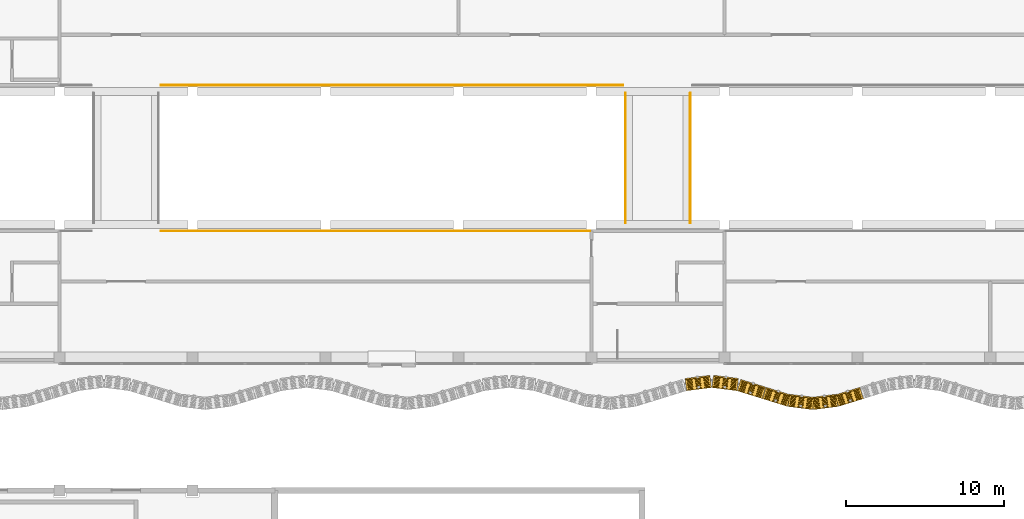
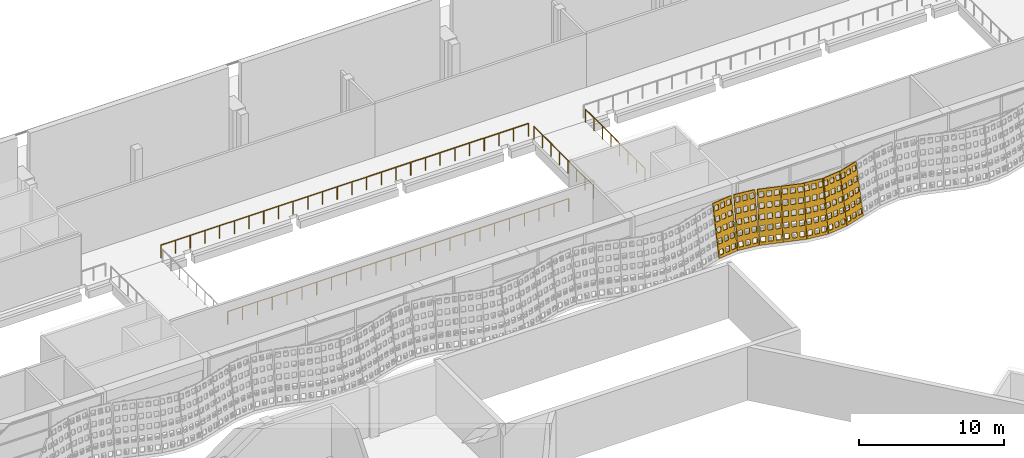
# One storey, part 150 of 162: 7 coverings, 4 railings.
"""IFC4 building model written with IfcOpenShell, lengths in metres."""

from ifc_helpers import new_model, si_unit, direction, frame, origin, origin_2d, place, context, subcontext, project, spatial, polyline, circle, outline, extrude, material, layer, layer_set, type_object, element, save


model = new_model("IFC4")

# Units and contexts
model_context = context("Model", 3, precision=1e-05, world=origin(), true_north=direction((0.0, 1.0)))
body_context = subcontext(model_context, "Body", "Model", "MODEL_VIEW")
ifc_project = project(units=[si_unit("LENGTHUNIT", "METRE"), si_unit("AREAUNIT", "SQUARE_METRE"), si_unit("VOLUMEUNIT", "CUBIC_METRE"), si_unit("PLANEANGLEUNIT", "RADIAN"), si_unit("MASSUNIT", "GRAM", prefix="KILO")], contexts=[model_context])

# Site, building, storey
site_placement = place(None, origin())
site = spatial("IfcSite", under=ifc_project, at=site_placement, CompositionType="ELEMENT")
building_placement = place(site_placement, origin())
building = spatial("IfcBuilding", under=site, at=building_placement, Name="Rain Tree Exposition and Congress Centre", CompositionType="ELEMENT")
storey_placement = place(building_placement, frame((0.0, 0.0, 6.0)))
storey = spatial("IfcBuildingStorey", under=building, at=storey_placement, Name="L01", CompositionType="ELEMENT", Elevation=6.0)

# Railings
ifc_material_1 = material(Name="Aluminium and glass balustrade", Category="aluminium")
railing_type = type_object("IfcRailingType", Name="Concourse guard 1100", PredefinedType="GUARDRAIL", material=ifc_material_1)
railing_1_placement = place(storey_placement, frame((182.800048828125, 83.60009765625, 0.0)))
element("IfcRailing", 1, at=railing_1_placement, inside=storey, type_object=railing_type, Name="Concourse promenade guard 11", PredefinedType="GUARDRAIL", context=body_context, shape_type="SweptSolid", body=[
    extrude(circle(Radius=0.02392578125, at=origin_2d()), frame((0.0, 0.0, 1.076171875), z_axis=(1.0, 0.0, 0.0), x_axis=(0.0, 1.0, 0.0)), (0.0, 0.0, 1.0), 27.099853515625),
    extrude(circle(Radius=0.02099609375, at=origin_2d()), origin(), (0.0, 0.0, 1.0), 1.052001953125),
    extrude(circle(Radius=0.02099609375, at=origin_2d()), frame((1.17822265625, 0.0, 0.0)), (0.0, 0.0, 1.0), 1.052001953125),
    extrude(circle(Radius=0.02099609375, at=origin_2d()), frame((2.3564453125, 0.0, 0.0)), (0.0, 0.0, 1.0), 1.052001953125),
    extrude(circle(Radius=0.02099609375, at=origin_2d()), frame((3.53466796875, 0.0, 0.0)), (0.0, 0.0, 1.0), 1.052001953125),
    extrude(circle(Radius=0.02099609375, at=origin_2d()), frame((4.713134765625, 0.0, 0.0)), (0.0, 0.0, 1.0), 1.052001953125),
    extrude(circle(Radius=0.02099609375, at=origin_2d()), frame((5.891357421875, 0.0, 0.0)), (0.0, 0.0, 1.0), 1.052001953125),
    extrude(circle(Radius=0.02099609375, at=origin_2d()), frame((7.069580078125, 0.0, 0.0)), (0.0, 0.0, 1.0), 1.052001953125),
    extrude(circle(Radius=0.02099609375, at=origin_2d()), frame((8.247802734375, 0.0, 0.0)), (0.0, 0.0, 1.0), 1.052001953125),
    extrude(circle(Radius=0.02099609375, at=origin_2d()), frame((9.426025390625, 0.0, 0.0)), (0.0, 0.0, 1.0), 1.052001953125),
    extrude(circle(Radius=0.02099609375, at=origin_2d()), frame((10.604248046875, 0.0, 0.0)), (0.0, 0.0, 1.0), 1.052001953125),
    extrude(circle(Radius=0.02099609375, at=origin_2d()), frame((11.782470703125, 0.0, 0.0)), (0.0, 0.0, 1.0), 1.052001953125),
    extrude(circle(Radius=0.02099609375, at=origin_2d()), frame((12.960693359375, 0.0, 0.0)), (0.0, 0.0, 1.0), 1.052001953125),
    extrude(circle(Radius=0.02099609375, at=origin_2d()), frame((14.13916015625, 0.0, 0.0)), (0.0, 0.0, 1.0), 1.052001953125),
    extrude(circle(Radius=0.02099609375, at=origin_2d()), frame((15.3173828125, 0.0, 0.0)), (0.0, 0.0, 1.0), 1.052001953125),
    extrude(circle(Radius=0.02099609375, at=origin_2d()), frame((16.49560546875, 0.0, 0.0)), (0.0, 0.0, 1.0), 1.052001953125),
    extrude(circle(Radius=0.02099609375, at=origin_2d()), frame((17.673828125, 0.0, 0.0)), (0.0, 0.0, 1.0), 1.052001953125),
    extrude(circle(Radius=0.02099609375, at=origin_2d()), frame((18.85205078125, 0.0, 0.0)), (0.0, 0.0, 1.0), 1.052001953125),
    extrude(circle(Radius=0.02099609375, at=origin_2d()), frame((20.0302734375, 0.0, 0.0)), (0.0, 0.0, 1.0), 1.052001953125),
    extrude(circle(Radius=0.02099609375, at=origin_2d()), frame((21.20849609375, 0.0, 0.0)), (0.0, 0.0, 1.0), 1.052001953125),
    extrude(circle(Radius=0.02099609375, at=origin_2d()), frame((22.38671875, 0.0, 0.0)), (0.0, 0.0, 1.0), 1.052001953125),
    extrude(circle(Radius=0.02099609375, at=origin_2d()), frame((23.565185546875, 0.0, 0.0)), (0.0, 0.0, 1.0), 1.052001953125),
    extrude(circle(Radius=0.02099609375, at=origin_2d()), frame((24.743408203125, 0.0, 0.0)), (0.0, 0.0, 1.0), 1.052001953125),
    extrude(circle(Radius=0.02099609375, at=origin_2d()), frame((25.921630859375, 0.0, 0.0)), (0.0, 0.0, 1.0), 1.052001953125),
    extrude(circle(Radius=0.02099609375, at=origin_2d()), frame((27.099853515625, 0.0, 0.0)), (0.0, 0.0, 1.0), 1.052001953125),
])
railing_2_placement = place(storey_placement, frame((182.800048828125, 92.800048828125, 0.0)))
element("IfcRailing", 2, at=railing_2_placement, inside=storey, type_object=railing_type, Name="Concourse promenade guard 25", PredefinedType="GUARDRAIL", context=body_context, shape_type="SweptSolid", body=[
    extrude(circle(Radius=0.02392578125, at=origin_2d()), frame((0.0, 0.0, 1.076171875), z_axis=(1.0, 0.0, 0.0), x_axis=(0.0, 1.0, 0.0)), (0.0, 0.0, 1.0), 29.199951171875),
    extrude(circle(Radius=0.02099609375, at=origin_2d()), origin(), (0.0, 0.0, 1.0), 1.052001953125),
    extrude(circle(Radius=0.02099609375, at=origin_2d()), frame((1.16796875, 0.0, 0.0)), (0.0, 0.0, 1.0), 1.052001953125),
    extrude(circle(Radius=0.02099609375, at=origin_2d()), frame((2.3359375, 0.0, 0.0)), (0.0, 0.0, 1.0), 1.052001953125),
    extrude(circle(Radius=0.02099609375, at=origin_2d()), frame((3.50390625, 0.0, 0.0)), (0.0, 0.0, 1.0), 1.052001953125),
    extrude(circle(Radius=0.02099609375, at=origin_2d()), frame((4.671875, 0.0, 0.0)), (0.0, 0.0, 1.0), 1.052001953125),
    extrude(circle(Radius=0.02099609375, at=origin_2d()), frame((5.840087890625, 0.0, 0.0)), (0.0, 0.0, 1.0), 1.052001953125),
    extrude(circle(Radius=0.02099609375, at=origin_2d()), frame((7.008056640625, 0.0, 0.0)), (0.0, 0.0, 1.0), 1.052001953125),
    extrude(circle(Radius=0.02099609375, at=origin_2d()), frame((8.176025390625, 0.0, 0.0)), (0.0, 0.0, 1.0), 1.052001953125),
    extrude(circle(Radius=0.02099609375, at=origin_2d()), frame((9.343994140625, 0.0, 0.0)), (0.0, 0.0, 1.0), 1.052001953125),
    extrude(circle(Radius=0.02099609375, at=origin_2d()), frame((10.511962890625, 0.0, 0.0)), (0.0, 0.0, 1.0), 1.052001953125),
    extrude(circle(Radius=0.02099609375, at=origin_2d()), frame((11.679931640625, 0.0, 0.0)), (0.0, 0.0, 1.0), 1.052001953125),
    extrude(circle(Radius=0.02099609375, at=origin_2d()), frame((12.847900390625, 0.0, 0.0)), (0.0, 0.0, 1.0), 1.052001953125),
    extrude(circle(Radius=0.02099609375, at=origin_2d()), frame((14.015869140625, 0.0, 0.0)), (0.0, 0.0, 1.0), 1.052001953125),
    extrude(circle(Radius=0.02099609375, at=origin_2d()), frame((15.18408203125, 0.0, 0.0)), (0.0, 0.0, 1.0), 1.052001953125),
    extrude(circle(Radius=0.02099609375, at=origin_2d()), frame((16.35205078125, 0.0, 0.0)), (0.0, 0.0, 1.0), 1.052001953125),
    extrude(circle(Radius=0.02099609375, at=origin_2d()), frame((17.52001953125, 0.0, 0.0)), (0.0, 0.0, 1.0), 1.052001953125),
    extrude(circle(Radius=0.02099609375, at=origin_2d()), frame((18.68798828125, 0.0, 0.0)), (0.0, 0.0, 1.0), 1.052001953125),
    extrude(circle(Radius=0.02099609375, at=origin_2d()), frame((19.85595703125, 0.0, 0.0)), (0.0, 0.0, 1.0), 1.052001953125),
    extrude(circle(Radius=0.02099609375, at=origin_2d()), frame((21.02392578125, 0.0, 0.0)), (0.0, 0.0, 1.0), 1.052001953125),
    extrude(circle(Radius=0.02099609375, at=origin_2d()), frame((22.19189453125, 0.0, 0.0)), (0.0, 0.0, 1.0), 1.052001953125),
    extrude(circle(Radius=0.02099609375, at=origin_2d()), frame((23.35986328125, 0.0, 0.0)), (0.0, 0.0, 1.0), 1.052001953125),
    extrude(circle(Radius=0.02099609375, at=origin_2d()), frame((24.528076171875, 0.0, 0.0)), (0.0, 0.0, 1.0), 1.052001953125),
    extrude(circle(Radius=0.02099609375, at=origin_2d()), frame((25.696044921875, 0.0, 0.0)), (0.0, 0.0, 1.0), 1.052001953125),
    extrude(circle(Radius=0.02099609375, at=origin_2d()), frame((26.864013671875, 0.0, 0.0)), (0.0, 0.0, 1.0), 1.052001953125),
    extrude(circle(Radius=0.02099609375, at=origin_2d()), frame((28.031982421875, 0.0, 0.0)), (0.0, 0.0, 1.0), 1.052001953125),
    extrude(circle(Radius=0.02099609375, at=origin_2d()), frame((29.199951171875, 0.0, 0.0)), (0.0, 0.0, 1.0), 1.052001953125),
])
for number, where, name in (
    (3, (212.14990234375, 84.10009765625, 0.0), "Concourse bridge guard 7.1"),
    (4, (216.25, 84.10009765625, 0.0), "Concourse bridge guard 7.2"),
):
    element("IfcRailing", number, at=place(storey_placement, frame(where)), inside=storey, type_object=railing_type, Name=name, PredefinedType="GUARDRAIL", context=body_context, shape_type="SweptSolid", body=[
        extrude(circle(Radius=0.02392578125, at=origin_2d()), frame((0.0, 0.0, 1.076171875), z_axis=(0.0, 1.0, 0.0), x_axis=(-1.0, 0.0, 0.0)), (0.0, 0.0, 1.0), 8.199951171875),
        extrude(circle(Radius=0.02099609375, at=origin_2d()), origin(), (0.0, 0.0, 1.0), 1.052001953125),
        extrude(circle(Radius=0.02099609375, at=origin_2d()), frame((0.0, 1.17138671875, 0.0)), (0.0, 0.0, 1.0), 1.052001953125),
        extrude(circle(Radius=0.02099609375, at=origin_2d()), frame((0.0, 2.3427734375, 0.0)), (0.0, 0.0, 1.0), 1.052001953125),
        extrude(circle(Radius=0.02099609375, at=origin_2d()), frame((0.0, 3.51416015625, 0.0)), (0.0, 0.0, 1.0), 1.052001953125),
        extrude(circle(Radius=0.02099609375, at=origin_2d()), frame((0.0, 4.685791015625, 0.0)), (0.0, 0.0, 1.0), 1.052001953125),
        extrude(circle(Radius=0.02099609375, at=origin_2d()), frame((0.0, 5.857177734375, 0.0)), (0.0, 0.0, 1.0), 1.052001953125),
        extrude(circle(Radius=0.02099609375, at=origin_2d()), frame((0.0, 7.028564453125, 0.0)), (0.0, 0.0, 1.0), 1.052001953125),
        extrude(circle(Radius=0.02099609375, at=origin_2d()), frame((0.0, 8.199951171875, 0.0)), (0.0, 0.0, 1.0), 1.052001953125),
    ])

# Coverings
ifc_material_2 = material(Name="Perforated terracotta", Category="masonry")
ifc_layer = layer(ifc_material_2, 0.080078125)
ifc_layer_set = layer_set([ifc_layer], Name="Perforated terracotta")
covering_type = type_object("IfcCoveringType", Name="Terracotta screen 80", PredefinedType="CLADDING", material=ifc_layer_set)
covering_1_placement = place(storey_placement, frame((215.999755859375, 73.496826171875, 0.01318359375), z_axis=(-0.124968640969, 0.978413018317, -0.164592844203), x_axis=(-0.991941518713, -0.126696580272, 0.0)))
element("IfcCovering", 5, at=covering_1_placement, inside=storey, type_object=covering_type, Name="concourse/screen/L01/136", PredefinedType="CLADDING", context=body_context, shape_type="SweptSolid", body=[
    extrude(outline(polyline([(-1.59814453125, 0.0), (-1.59814453125, 4.295166015625), (-0.014892578125, 4.295166015625), (-0.014892578125, 0.0), (-1.59814453125, 0.0)]), holes=[polyline([(-0.115234375, 0.2216796875), (-0.115234375, 0.63720703125), (-0.4423828125, 0.63720703125), (-0.4423828125, 0.2216796875), (-0.115234375, 0.2216796875)]), polyline([(-0.115234375, 1.080810546875), (-0.115234375, 1.496337890625), (-0.4423828125, 1.496337890625), (-0.4423828125, 1.080810546875), (-0.115234375, 1.080810546875)]), polyline([(-0.115234375, 1.939697265625), (-0.115234375, 2.35546875), (-0.4423828125, 2.35546875), (-0.4423828125, 1.939697265625), (-0.115234375, 1.939697265625)]), polyline([(-0.115234375, 2.798583984375), (-0.115234375, 3.21435546875), (-0.4423828125, 3.21435546875), (-0.4423828125, 2.798583984375), (-0.115234375, 2.798583984375)]), polyline([(-0.115234375, 3.65771484375), (-0.115234375, 4.073486328125), (-0.4423828125, 4.073486328125), (-0.4423828125, 3.65771484375), (-0.115234375, 3.65771484375)]), polyline([(-0.64306640625, 0.2216796875), (-0.64306640625, 0.63720703125), (-0.97021484375, 0.63720703125), (-0.97021484375, 0.2216796875), (-0.64306640625, 0.2216796875)]), polyline([(-0.64306640625, 1.080810546875), (-0.64306640625, 1.496337890625), (-0.97021484375, 1.496337890625), (-0.97021484375, 1.080810546875), (-0.64306640625, 1.080810546875)]), polyline([(-0.64306640625, 1.939697265625), (-0.64306640625, 2.35546875), (-0.97021484375, 2.35546875), (-0.97021484375, 1.939697265625), (-0.64306640625, 1.939697265625)]), polyline([(-0.64306640625, 2.798583984375), (-0.64306640625, 3.21435546875), (-0.97021484375, 3.21435546875), (-0.97021484375, 2.798583984375), (-0.64306640625, 2.798583984375)]), polyline([(-0.64306640625, 3.65771484375), (-0.64306640625, 4.073486328125), (-0.97021484375, 4.073486328125), (-0.97021484375, 3.65771484375), (-0.64306640625, 3.65771484375)]), polyline([(-1.170654296875, 0.2216796875), (-1.170654296875, 0.63720703125), (-1.497802734375, 0.63720703125), (-1.497802734375, 0.2216796875), (-1.170654296875, 0.2216796875)]), polyline([(-1.170654296875, 1.080810546875), (-1.170654296875, 1.496337890625), (-1.497802734375, 1.496337890625), (-1.497802734375, 1.080810546875), (-1.170654296875, 1.080810546875)]), polyline([(-1.170654296875, 1.939697265625), (-1.170654296875, 2.35546875), (-1.497802734375, 2.35546875), (-1.497802734375, 1.939697265625), (-1.170654296875, 1.939697265625)]), polyline([(-1.170654296875, 2.798583984375), (-1.170654296875, 3.21435546875), (-1.497802734375, 3.21435546875), (-1.497802734375, 2.798583984375), (-1.170654296875, 2.798583984375)]), polyline([(-1.170654296875, 3.65771484375), (-1.170654296875, 4.073486328125), (-1.497802734375, 4.073486328125), (-1.497802734375, 3.65771484375), (-1.170654296875, 3.65771484375)])]), origin(), (0.0, 0.0, 1.0), 0.080078125),
])
covering_2_placement = place(storey_placement, frame((217.600341796875, 73.701904296875, 0.01318359375), z_axis=(0.125342414455, 0.978282259159, -0.165085131233), x_axis=(-0.991891686382, 0.127086122318, 0.0)))
element("IfcCovering", 6, at=covering_2_placement, inside=storey, type_object=covering_type, Name="concourse/screen/L01/137", PredefinedType="CLADDING", context=body_context, shape_type="SweptSolid", body=[
    extrude(outline(polyline([(-1.59814453125, 0.0), (-1.59814453125, 4.295166015625), (-0.014892578125, 4.295166015625), (-0.014892578125, 0.0), (-1.59814453125, 0.0)]), holes=[polyline([(-0.115234375, 0.2216796875), (-0.115234375, 0.63720703125), (-0.4423828125, 0.63720703125), (-0.4423828125, 0.2216796875), (-0.115234375, 0.2216796875)]), polyline([(-0.115234375, 1.080810546875), (-0.115234375, 1.496337890625), (-0.4423828125, 1.496337890625), (-0.4423828125, 1.080810546875), (-0.115234375, 1.080810546875)]), polyline([(-0.115234375, 1.939697265625), (-0.115234375, 2.35546875), (-0.4423828125, 2.35546875), (-0.4423828125, 1.939697265625), (-0.115234375, 1.939697265625)]), polyline([(-0.115234375, 2.798583984375), (-0.115234375, 3.21435546875), (-0.4423828125, 3.21435546875), (-0.4423828125, 2.798583984375), (-0.115234375, 2.798583984375)]), polyline([(-0.115234375, 3.65771484375), (-0.115234375, 4.073486328125), (-0.4423828125, 4.073486328125), (-0.4423828125, 3.65771484375), (-0.115234375, 3.65771484375)]), polyline([(-0.64306640625, 0.2216796875), (-0.64306640625, 0.63720703125), (-0.97021484375, 0.63720703125), (-0.97021484375, 0.2216796875), (-0.64306640625, 0.2216796875)]), polyline([(-0.64306640625, 1.080810546875), (-0.64306640625, 1.496337890625), (-0.97021484375, 1.496337890625), (-0.97021484375, 1.080810546875), (-0.64306640625, 1.080810546875)]), polyline([(-0.64306640625, 1.939697265625), (-0.64306640625, 2.35546875), (-0.97021484375, 2.35546875), (-0.97021484375, 1.939697265625), (-0.64306640625, 1.939697265625)]), polyline([(-0.64306640625, 2.798583984375), (-0.64306640625, 3.21435546875), (-0.97021484375, 3.21435546875), (-0.97021484375, 2.798583984375), (-0.64306640625, 2.798583984375)]), polyline([(-0.64306640625, 3.65771484375), (-0.64306640625, 4.073486328125), (-0.97021484375, 4.073486328125), (-0.97021484375, 3.65771484375), (-0.64306640625, 3.65771484375)]), polyline([(-1.170654296875, 0.2216796875), (-1.170654296875, 0.63720703125), (-1.497802734375, 0.63720703125), (-1.497802734375, 0.2216796875), (-1.170654296875, 0.2216796875)]), polyline([(-1.170654296875, 1.080810546875), (-1.170654296875, 1.496337890625), (-1.497802734375, 1.496337890625), (-1.497802734375, 1.080810546875), (-1.170654296875, 1.080810546875)]), polyline([(-1.170654296875, 1.939697265625), (-1.170654296875, 2.35546875), (-1.497802734375, 2.35546875), (-1.497802734375, 1.939697265625), (-1.170654296875, 1.939697265625)]), polyline([(-1.170654296875, 2.798583984375), (-1.170654296875, 3.21435546875), (-1.497802734375, 3.21435546875), (-1.497802734375, 2.798583984375), (-1.170654296875, 2.798583984375)]), polyline([(-1.170654296875, 3.65771484375), (-1.170654296875, 4.073486328125), (-1.497802734375, 4.073486328125), (-1.497802734375, 3.65771484375), (-1.170654296875, 3.65771484375)])]), origin(), (0.0, 0.0, 1.0), 0.079833984375),
])
covering_3_placement = place(storey_placement, frame((219.20068359375, 73.49658203125, 0.0126953125), z_axis=(0.290138898064, 0.943714942124, -0.158812870519), x_axis=(-0.955845867297, 0.293868470528, 0.0)))
element("IfcCovering", 7, at=covering_3_placement, inside=storey, type_object=covering_type, Name="concourse/screen/L01/138", PredefinedType="CLADDING", context=body_context, shape_type="SweptSolid", body=[
    extrude(outline(polyline([(-1.659912109375, 0.0), (-1.659912109375, 4.29150390625), (-0.014892578125, 4.29150390625), (-0.014892578125, 0.0), (-1.659912109375, 0.0)]), holes=[polyline([(-0.119140625, 0.221435546875), (-0.119140625, 0.63671875), (-0.458984375, 0.63671875), (-0.458984375, 0.221435546875), (-0.119140625, 0.221435546875)]), polyline([(-0.119140625, 1.079833984375), (-0.119140625, 1.4951171875), (-0.458984375, 1.4951171875), (-0.458984375, 1.079833984375), (-0.119140625, 1.079833984375)]), polyline([(-0.119140625, 1.93798828125), (-0.119140625, 2.353271484375), (-0.458984375, 2.353271484375), (-0.458984375, 1.93798828125), (-0.119140625, 1.93798828125)]), polyline([(-0.119140625, 2.79638671875), (-0.119140625, 3.211669921875), (-0.458984375, 3.211669921875), (-0.458984375, 2.79638671875), (-0.119140625, 2.79638671875)]), polyline([(-0.119140625, 3.654541015625), (-0.119140625, 4.06982421875), (-0.458984375, 4.06982421875), (-0.458984375, 3.654541015625), (-0.119140625, 3.654541015625)]), polyline([(-0.66748046875, 0.221435546875), (-0.66748046875, 0.63671875), (-1.00732421875, 0.63671875), (-1.00732421875, 0.221435546875), (-0.66748046875, 0.221435546875)]), polyline([(-0.66748046875, 1.079833984375), (-0.66748046875, 1.4951171875), (-1.00732421875, 1.4951171875), (-1.00732421875, 1.079833984375), (-0.66748046875, 1.079833984375)]), polyline([(-0.66748046875, 1.93798828125), (-0.66748046875, 2.353271484375), (-1.00732421875, 2.353271484375), (-1.00732421875, 1.93798828125), (-0.66748046875, 1.93798828125)]), polyline([(-0.66748046875, 2.79638671875), (-0.66748046875, 3.211669921875), (-1.00732421875, 3.211669921875), (-1.00732421875, 2.79638671875), (-0.66748046875, 2.79638671875)]), polyline([(-0.66748046875, 3.654541015625), (-0.66748046875, 4.06982421875), (-1.00732421875, 4.06982421875), (-1.00732421875, 3.654541015625), (-0.66748046875, 3.654541015625)]), polyline([(-1.2158203125, 0.221435546875), (-1.2158203125, 0.63671875), (-1.5556640625, 0.63671875), (-1.5556640625, 0.221435546875), (-1.2158203125, 0.221435546875)]), polyline([(-1.2158203125, 1.079833984375), (-1.2158203125, 1.4951171875), (-1.5556640625, 1.4951171875), (-1.5556640625, 1.079833984375), (-1.2158203125, 1.079833984375)]), polyline([(-1.2158203125, 1.93798828125), (-1.2158203125, 2.353271484375), (-1.5556640625, 2.353271484375), (-1.5556640625, 1.93798828125), (-1.2158203125, 1.93798828125)]), polyline([(-1.2158203125, 2.79638671875), (-1.2158203125, 3.211669921875), (-1.5556640625, 3.211669921875), (-1.5556640625, 2.79638671875), (-1.2158203125, 2.79638671875)]), polyline([(-1.2158203125, 3.654541015625), (-1.2158203125, 4.06982421875), (-1.5556640625, 4.06982421875), (-1.5556640625, 3.654541015625), (-1.2158203125, 3.654541015625)])]), origin(), (0.0, 0.0, 1.0), 0.079833984375),
])
covering_4_placement = place(storey_placement, frame((220.800537109375, 73.001708984375, 0.0126953125), z_axis=(0.292932171154, 0.942875425902, -0.158671592708), x_axis=(-0.954973588716, 0.296690823679, 0.0)))
element("IfcCovering", 8, at=covering_4_placement, inside=storey, type_object=covering_type, Name="concourse/screen/L01/139", PredefinedType="CLADDING", context=body_context, shape_type="SweptSolid", body=[
    extrude(outline(polyline([(-1.65283203125, 0.0), (-1.65283203125, 4.29150390625), (-0.014892578125, 4.29150390625), (-0.014892578125, 0.0), (-1.65283203125, 0.0)]), holes=[polyline([(-0.11865234375, 0.221435546875), (-0.11865234375, 0.63671875), (-0.457275390625, 0.63671875), (-0.457275390625, 0.221435546875), (-0.11865234375, 0.221435546875)]), polyline([(-0.11865234375, 1.079833984375), (-0.11865234375, 1.4951171875), (-0.457275390625, 1.4951171875), (-0.457275390625, 1.079833984375), (-0.11865234375, 1.079833984375)]), polyline([(-0.11865234375, 1.93798828125), (-0.11865234375, 2.353271484375), (-0.457275390625, 2.353271484375), (-0.457275390625, 1.93798828125), (-0.11865234375, 1.93798828125)]), polyline([(-0.11865234375, 2.79638671875), (-0.11865234375, 3.211669921875), (-0.457275390625, 3.211669921875), (-0.457275390625, 2.79638671875), (-0.11865234375, 2.79638671875)]), polyline([(-0.11865234375, 3.654541015625), (-0.11865234375, 4.06982421875), (-0.457275390625, 4.06982421875), (-0.457275390625, 3.654541015625), (-0.11865234375, 3.654541015625)]), polyline([(-0.664794921875, 0.221435546875), (-0.664794921875, 0.63671875), (-1.003173828125, 0.63671875), (-1.003173828125, 0.221435546875), (-0.664794921875, 0.221435546875)]), polyline([(-0.664794921875, 1.079833984375), (-0.664794921875, 1.4951171875), (-1.003173828125, 1.4951171875), (-1.003173828125, 1.079833984375), (-0.664794921875, 1.079833984375)]), polyline([(-0.664794921875, 1.93798828125), (-0.664794921875, 2.353271484375), (-1.003173828125, 2.353271484375), (-1.003173828125, 1.93798828125), (-0.664794921875, 1.93798828125)]), polyline([(-0.664794921875, 2.79638671875), (-0.664794921875, 3.211669921875), (-1.003173828125, 3.211669921875), (-1.003173828125, 2.79638671875), (-0.664794921875, 2.79638671875)]), polyline([(-0.664794921875, 3.654541015625), (-0.664794921875, 4.06982421875), (-1.003173828125, 4.06982421875), (-1.003173828125, 3.654541015625), (-0.664794921875, 3.654541015625)]), polyline([(-1.210693359375, 0.221435546875), (-1.210693359375, 0.63671875), (-1.54931640625, 0.63671875), (-1.54931640625, 0.221435546875), (-1.210693359375, 0.221435546875)]), polyline([(-1.210693359375, 1.079833984375), (-1.210693359375, 1.4951171875), (-1.54931640625, 1.4951171875), (-1.54931640625, 1.079833984375), (-1.210693359375, 1.079833984375)]), polyline([(-1.210693359375, 1.93798828125), (-1.210693359375, 2.353271484375), (-1.54931640625, 2.353271484375), (-1.54931640625, 1.93798828125), (-1.210693359375, 1.93798828125)]), polyline([(-1.210693359375, 2.79638671875), (-1.210693359375, 3.211669921875), (-1.54931640625, 3.211669921875), (-1.54931640625, 2.79638671875), (-1.210693359375, 2.79638671875)]), polyline([(-1.210693359375, 3.654541015625), (-1.210693359375, 4.06982421875), (-1.54931640625, 4.06982421875), (-1.54931640625, 3.654541015625), (-1.210693359375, 3.654541015625)])]), origin(), (0.0, 0.0, 1.0), 0.080078125),
])
covering_5_placement = place(storey_placement, frame((222.400390625, 72.5068359375, 0.01318359375), z_axis=(0.124968640969, 0.978413018317, -0.164592844203), x_axis=(-0.991941518713, 0.126696580272, 0.0)))
element("IfcCovering", 9, at=covering_5_placement, inside=storey, type_object=covering_type, Name="concourse/screen/L01/140", PredefinedType="CLADDING", context=body_context, shape_type="SweptSolid", body=[
    extrude(outline(polyline([(-1.587890625, 0.0), (-1.587890625, 4.295166015625), (-0.02197265625, 4.295166015625), (-0.02197265625, 0.0), (-1.587890625, 0.0)]), holes=[polyline([(-0.12109375, 0.2216796875), (-0.12109375, 0.63720703125), (-0.444580078125, 0.63720703125), (-0.444580078125, 0.2216796875), (-0.12109375, 0.2216796875)]), polyline([(-0.12109375, 1.080810546875), (-0.12109375, 1.496337890625), (-0.444580078125, 1.496337890625), (-0.444580078125, 1.080810546875), (-0.12109375, 1.080810546875)]), polyline([(-0.12109375, 1.939697265625), (-0.12109375, 2.35546875), (-0.444580078125, 2.35546875), (-0.444580078125, 1.939697265625), (-0.12109375, 1.939697265625)]), polyline([(-0.12109375, 2.798583984375), (-0.12109375, 3.21435546875), (-0.444580078125, 3.21435546875), (-0.444580078125, 2.798583984375), (-0.12109375, 2.798583984375)]), polyline([(-0.12109375, 3.65771484375), (-0.12109375, 4.073486328125), (-0.444580078125, 4.073486328125), (-0.444580078125, 3.65771484375), (-0.12109375, 3.65771484375)]), polyline([(-0.64306640625, 0.2216796875), (-0.64306640625, 0.63720703125), (-0.966796875, 0.63720703125), (-0.966796875, 0.2216796875), (-0.64306640625, 0.2216796875)]), polyline([(-0.64306640625, 1.080810546875), (-0.64306640625, 1.496337890625), (-0.966796875, 1.496337890625), (-0.966796875, 1.080810546875), (-0.64306640625, 1.080810546875)]), polyline([(-0.64306640625, 1.939697265625), (-0.64306640625, 2.35546875), (-0.966796875, 2.35546875), (-0.966796875, 1.939697265625), (-0.64306640625, 1.939697265625)]), polyline([(-0.64306640625, 2.798583984375), (-0.64306640625, 3.21435546875), (-0.966796875, 3.21435546875), (-0.966796875, 2.798583984375), (-0.64306640625, 2.798583984375)]), polyline([(-0.64306640625, 3.65771484375), (-0.64306640625, 4.073486328125), (-0.966796875, 4.073486328125), (-0.966796875, 3.65771484375), (-0.64306640625, 3.65771484375)]), polyline([(-1.1650390625, 0.2216796875), (-1.1650390625, 0.63720703125), (-1.48876953125, 0.63720703125), (-1.48876953125, 0.2216796875), (-1.1650390625, 0.2216796875)]), polyline([(-1.1650390625, 1.080810546875), (-1.1650390625, 1.496337890625), (-1.48876953125, 1.496337890625), (-1.48876953125, 1.080810546875), (-1.1650390625, 1.080810546875)]), polyline([(-1.1650390625, 1.939697265625), (-1.1650390625, 2.35546875), (-1.48876953125, 2.35546875), (-1.48876953125, 1.939697265625), (-1.1650390625, 1.939697265625)]), polyline([(-1.1650390625, 2.798583984375), (-1.1650390625, 3.21435546875), (-1.48876953125, 3.21435546875), (-1.48876953125, 2.798583984375), (-1.1650390625, 2.798583984375)]), polyline([(-1.1650390625, 3.65771484375), (-1.1650390625, 4.073486328125), (-1.48876953125, 4.073486328125), (-1.48876953125, 3.65771484375), (-1.1650390625, 3.65771484375)])]), origin(), (0.0, 0.0, 1.0), 0.080078125),
])
covering_6_placement = place(storey_placement, frame((223.999755859375, 72.302001953125, 0.01318359375), z_axis=(-0.125342414455, 0.978282259159, -0.165085131233), x_axis=(-0.991891686382, -0.127086122318, 0.0)))
element("IfcCovering", 10, at=covering_6_placement, inside=storey, type_object=covering_type, Name="concourse/screen/L01/141", PredefinedType="CLADDING", context=body_context, shape_type="SweptSolid", body=[
    extrude(outline(polyline([(-1.59130859375, 0.0), (-1.59130859375, 4.295166015625), (-0.025146484375, 4.295166015625), (-0.025146484375, 0.0), (-1.59130859375, 0.0)]), holes=[polyline([(-0.12451171875, 0.2216796875), (-0.12451171875, 0.63720703125), (-0.447998046875, 0.63720703125), (-0.447998046875, 0.2216796875), (-0.12451171875, 0.2216796875)]), polyline([(-0.12451171875, 1.080810546875), (-0.12451171875, 1.496337890625), (-0.447998046875, 1.496337890625), (-0.447998046875, 1.080810546875), (-0.12451171875, 1.080810546875)]), polyline([(-0.12451171875, 1.939697265625), (-0.12451171875, 2.35546875), (-0.447998046875, 2.35546875), (-0.447998046875, 1.939697265625), (-0.12451171875, 1.939697265625)]), polyline([(-0.12451171875, 2.798583984375), (-0.12451171875, 3.21435546875), (-0.447998046875, 3.21435546875), (-0.447998046875, 2.798583984375), (-0.12451171875, 2.798583984375)]), polyline([(-0.12451171875, 3.65771484375), (-0.12451171875, 4.073486328125), (-0.447998046875, 4.073486328125), (-0.447998046875, 3.65771484375), (-0.12451171875, 3.65771484375)]), polyline([(-0.646484375, 0.2216796875), (-0.646484375, 0.63720703125), (-0.969970703125, 0.63720703125), (-0.969970703125, 0.2216796875), (-0.646484375, 0.2216796875)]), polyline([(-0.646484375, 1.080810546875), (-0.646484375, 1.496337890625), (-0.969970703125, 1.496337890625), (-0.969970703125, 1.080810546875), (-0.646484375, 1.080810546875)]), polyline([(-0.646484375, 1.939697265625), (-0.646484375, 2.35546875), (-0.969970703125, 2.35546875), (-0.969970703125, 1.939697265625), (-0.646484375, 1.939697265625)]), polyline([(-0.646484375, 2.798583984375), (-0.646484375, 3.21435546875), (-0.969970703125, 3.21435546875), (-0.969970703125, 2.798583984375), (-0.646484375, 2.798583984375)]), polyline([(-0.646484375, 3.65771484375), (-0.646484375, 4.073486328125), (-0.969970703125, 4.073486328125), (-0.969970703125, 3.65771484375), (-0.646484375, 3.65771484375)]), polyline([(-1.16845703125, 0.2216796875), (-1.16845703125, 0.63720703125), (-1.491943359375, 0.63720703125), (-1.491943359375, 0.2216796875), (-1.16845703125, 0.2216796875)]), polyline([(-1.16845703125, 1.080810546875), (-1.16845703125, 1.496337890625), (-1.491943359375, 1.496337890625), (-1.491943359375, 1.080810546875), (-1.16845703125, 1.080810546875)]), polyline([(-1.16845703125, 1.939697265625), (-1.16845703125, 2.35546875), (-1.491943359375, 2.35546875), (-1.491943359375, 1.939697265625), (-1.16845703125, 1.939697265625)]), polyline([(-1.16845703125, 2.798583984375), (-1.16845703125, 3.21435546875), (-1.491943359375, 3.21435546875), (-1.491943359375, 2.798583984375), (-1.16845703125, 2.798583984375)]), polyline([(-1.16845703125, 3.65771484375), (-1.16845703125, 4.073486328125), (-1.491943359375, 4.073486328125), (-1.491943359375, 3.65771484375), (-1.16845703125, 3.65771484375)])]), origin(), (0.0, 0.0, 1.0), 0.079833984375),
])
covering_7_placement = place(storey_placement, frame((225.599365234375, 72.506591796875, 0.0126953125), z_axis=(-0.290138898064, 0.943714942124, -0.158812870519), x_axis=(-0.955845867297, -0.293868470528, 0.0)))
element("IfcCovering", 11, at=covering_7_placement, inside=storey, type_object=covering_type, Name="concourse/screen/L01/142", PredefinedType="CLADDING", context=body_context, shape_type="SweptSolid", body=[
    extrude(outline(polyline([(-1.659912109375, 0.0), (-1.659912109375, 4.29150390625), (-0.02197265625, 4.29150390625), (-0.02197265625, 0.0), (-1.659912109375, 0.0)]), holes=[polyline([(-0.125732421875, 0.221435546875), (-0.125732421875, 0.63671875), (-0.464111328125, 0.63671875), (-0.464111328125, 0.221435546875), (-0.125732421875, 0.221435546875)]), polyline([(-0.125732421875, 1.079833984375), (-0.125732421875, 1.4951171875), (-0.464111328125, 1.4951171875), (-0.464111328125, 1.079833984375), (-0.125732421875, 1.079833984375)]), polyline([(-0.125732421875, 1.93798828125), (-0.125732421875, 2.353271484375), (-0.464111328125, 2.353271484375), (-0.464111328125, 1.93798828125), (-0.125732421875, 1.93798828125)]), polyline([(-0.125732421875, 2.79638671875), (-0.125732421875, 3.211669921875), (-0.464111328125, 3.211669921875), (-0.464111328125, 2.79638671875), (-0.125732421875, 2.79638671875)]), polyline([(-0.125732421875, 3.654541015625), (-0.125732421875, 4.06982421875), (-0.464111328125, 4.06982421875), (-0.464111328125, 3.654541015625), (-0.125732421875, 3.654541015625)]), polyline([(-0.671630859375, 0.221435546875), (-0.671630859375, 0.63671875), (-1.010009765625, 0.63671875), (-1.010009765625, 0.221435546875), (-0.671630859375, 0.221435546875)]), polyline([(-0.671630859375, 1.079833984375), (-0.671630859375, 1.4951171875), (-1.010009765625, 1.4951171875), (-1.010009765625, 1.079833984375), (-0.671630859375, 1.079833984375)]), polyline([(-0.671630859375, 1.93798828125), (-0.671630859375, 2.353271484375), (-1.010009765625, 2.353271484375), (-1.010009765625, 1.93798828125), (-0.671630859375, 1.93798828125)]), polyline([(-0.671630859375, 2.79638671875), (-0.671630859375, 3.211669921875), (-1.010009765625, 3.211669921875), (-1.010009765625, 2.79638671875), (-0.671630859375, 2.79638671875)]), polyline([(-0.671630859375, 3.654541015625), (-0.671630859375, 4.06982421875), (-1.010009765625, 4.06982421875), (-1.010009765625, 3.654541015625), (-0.671630859375, 3.654541015625)]), polyline([(-1.217529296875, 0.221435546875), (-1.217529296875, 0.63671875), (-1.55615234375, 0.63671875), (-1.55615234375, 0.221435546875), (-1.217529296875, 0.221435546875)]), polyline([(-1.217529296875, 1.079833984375), (-1.217529296875, 1.4951171875), (-1.55615234375, 1.4951171875), (-1.55615234375, 1.079833984375), (-1.217529296875, 1.079833984375)]), polyline([(-1.217529296875, 1.93798828125), (-1.217529296875, 2.353271484375), (-1.55615234375, 2.353271484375), (-1.55615234375, 1.93798828125), (-1.217529296875, 1.93798828125)]), polyline([(-1.217529296875, 2.79638671875), (-1.217529296875, 3.211669921875), (-1.55615234375, 3.211669921875), (-1.55615234375, 2.79638671875), (-1.217529296875, 2.79638671875)]), polyline([(-1.217529296875, 3.654541015625), (-1.217529296875, 4.06982421875), (-1.55615234375, 4.06982421875), (-1.55615234375, 3.654541015625), (-1.217529296875, 3.654541015625)])]), origin(), (0.0, 0.0, 1.0), 0.079833984375),
])

save(model, "model.ifc")
